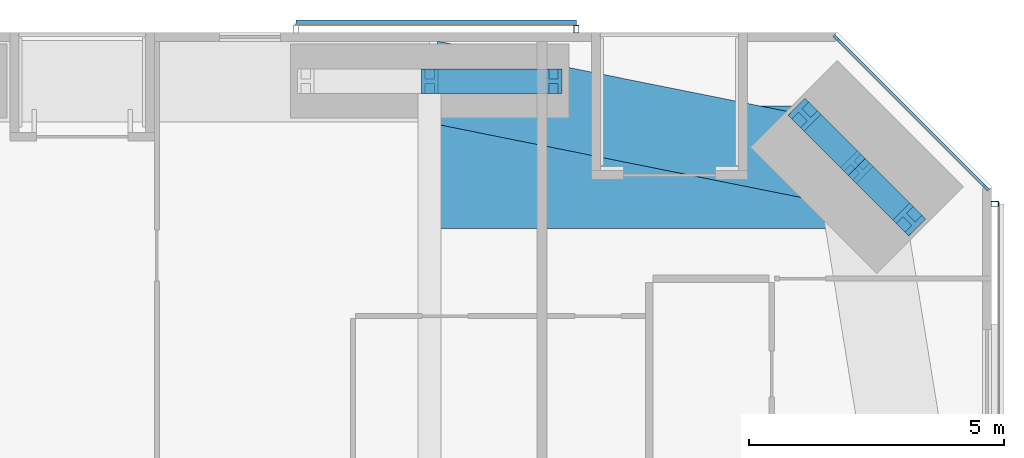
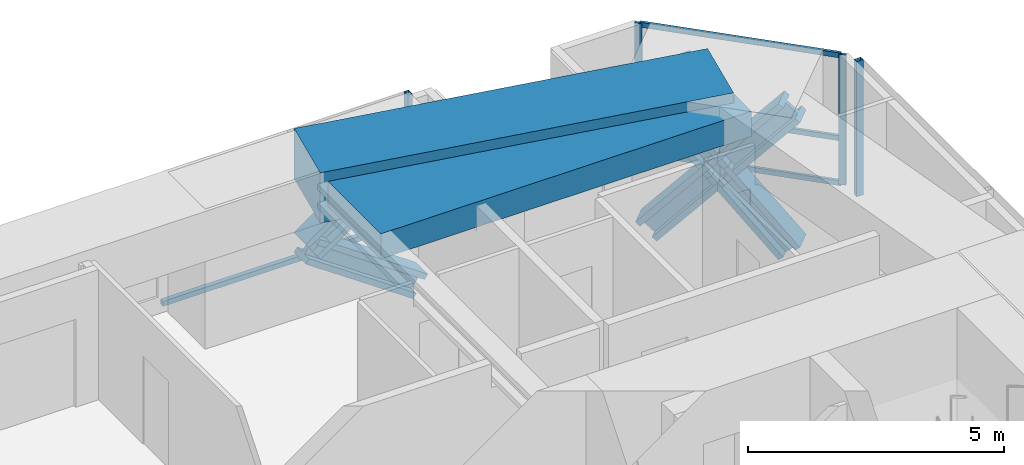
# One storey, part 14 of 23: 14 members, 2 beams, 3 elements without a shape of their own.
"""IFC4 building model written with IfcOpenShell, lengths in metres."""

import ifcopenshell
import ifcopenshell.guid

model = None  # the IFC model being written
_history = None  # IfcOwnerHistory: only IFC2X3 demands one
_inside = {}  # id of a spatial element -> (the spatial element, [elements in it])
_under = {}  # id of a project, library or spatial element -> (it, [spatial elements below it])
_declared = {}  # id of a project -> (the project, [libraries it declares])
_typed = {}  # id of a type object -> (the type object, [elements of that type])
_made_of = {}  # id of a material, layer set ... -> (it, [elements and type objects made of it])


def new_model(schema):
    """Start an empty IFC model of exactly this schema.

    Asked for "IFC4X3", IfcOpenShell would pick the latest addendum, in which some entities
    have other attributes; the version numbers below select the first issue.
    IFC2X3 requires an IfcOwnerHistory on every rooted entity: one is made here for all.
    """
    global model, _history
    if schema == "IFC4X3":
        model = ifcopenshell.file(schema_version=(4, 3, 0, 0))
    else:
        model = ifcopenshell.file(schema=schema)
    _inside.clear()
    _under.clear()
    _declared.clear()
    _typed.clear()
    _made_of.clear()
    _history = None
    if model.schema == "IFC2X3":
        org = make("IfcOrganization", Name="unknown")
        user = make(
            "IfcPersonAndOrganization",
            ThePerson=make("IfcPerson", FamilyName="unknown"),
            TheOrganization=org,
        )
        app = make(
            "IfcApplication",
            ApplicationDeveloper=org,
            Version="unknown",
            ApplicationFullName="unknown",
            ApplicationIdentifier="unknown",
        )
        _history = make(
            "IfcOwnerHistory",
            OwningUser=user,
            OwningApplication=app,
            ChangeAction="ADDED",
            CreationDate=0,
        )
    return model


def make(cls, **values):
    """One entity of the class cls with the attributes given. An attribute that is None is left unset."""
    return model.create_entity(
        cls, **{name: value for name, value in values.items() if value is not None}
    )


def rooted(cls, **values):
    """An entity with a GlobalId (a new one), such as an element, a storey or a relation."""
    return make(cls, GlobalId=ifcopenshell.guid.new(), OwnerHistory=_history, **values)


def si_unit(unit_type, name, prefix=None):
    """IfcSIUnit, for example si_unit("LENGTHUNIT", "METRE", prefix="MILLI")."""
    return make("IfcSIUnit", UnitType=unit_type, Prefix=prefix, Name=name)


def assignment(units):
    """IfcUnitAssignment: the units of a project."""
    return None if units is None else make("IfcUnitAssignment", Units=units)


def point(xyz):
    """IfcCartesianPoint."""
    return None if xyz is None else make("IfcCartesianPoint", Coordinates=xyz)


def direction(xyz):
    """IfcDirection."""
    return None if xyz is None else make("IfcDirection", DirectionRatios=xyz)


def frame(location, z_axis=None, x_axis=None):
    """IfcAxis2Placement3D, a coordinate frame: its origin and axes. An axis left out is left unset."""
    return make(
        "IfcAxis2Placement3D",
        Location=point(location),
        Axis=direction(z_axis),
        RefDirection=direction(x_axis),
    )


def frame_2d(location, x_axis=None):
    """IfcAxis2Placement2D, a coordinate frame in the plane: its origin and x axis."""
    return make(
        "IfcAxis2Placement2D", Location=point(location), RefDirection=direction(x_axis)
    )


def origin():
    """The frame at (0, 0, 0) with its axes left unset."""
    return frame((0.0, 0.0, 0.0))


def origin_2d():
    """The frame at (0, 0) in the plane with its x axis left unset."""
    return frame_2d((0.0, 0.0))


def place(relative_to, where):
    """IfcLocalPlacement: puts the frame where relative to a parent placement (None: the world)."""
    return make(
        "IfcLocalPlacement", PlacementRelTo=relative_to, RelativePlacement=where
    )


def context(
    kind, dimensions, precision=None, world=None, true_north=None, identifier=None
):
    """IfcGeometricRepresentationContext, for example the 3D "Model" context."""
    return make(
        "IfcGeometricRepresentationContext",
        ContextIdentifier=identifier,
        ContextType=kind,
        CoordinateSpaceDimension=dimensions,
        Precision=precision,
        WorldCoordinateSystem=world,
        TrueNorth=true_north,
    )


def subcontext(parent, identifier, kind, view, scale=None):
    """IfcGeometricRepresentationSubContext, for example "Body" below "Model"."""
    return make(
        "IfcGeometricRepresentationSubContext",
        ContextIdentifier=identifier,
        ContextType=kind,
        ParentContext=parent,
        TargetScale=scale,
        TargetView=view,
    )


def project(units=None, contexts=None):
    """IfcProject with its units and contexts."""
    return rooted(
        "IfcProject",
        Name="project",
        RepresentationContexts=contexts,
        UnitsInContext=assignment(units),
    )


def spatial(cls, under=None, at=None, **own):
    """A site, building, storey or space (cls), placed at a placement, below another one or the project."""
    s = rooted(cls, ObjectPlacement=at, **own)
    if under is not None:
        _under.setdefault(under.id(), (under, []))[1].append(s)
    return s


def profile(cls, at=None, kind="AREA", **sizes):
    """A parametric profile (cls). Its sizes go by their IFC names, for example OverallWidth=200.0."""
    return make(cls, ProfileType=kind, Position=at, **sizes)


def rectangle(**sizes):
    """IfcRectangleProfileDef."""
    return profile("IfcRectangleProfileDef", **sizes)


def hollow_rectangle(**sizes):
    """IfcRectangleHollowProfileDef."""
    return profile("IfcRectangleHollowProfileDef", **sizes)


def i_section(**sizes):
    """IfcIShapeProfileDef."""
    return profile("IfcIShapeProfileDef", **sizes)


def extrude(swept, where, along, depth):
    """IfcExtrudedAreaSolid: the profile swept, set in the frame where, extruded along a direction by depth."""
    return make(
        "IfcExtrudedAreaSolid",
        SweptArea=swept,
        Position=where,
        ExtrudedDirection=direction(along),
        Depth=depth,
    )


def shape(context_of_items, identifier, shape_type, items):
    """IfcShapeRepresentation: the items that make up one representation, for example the "Body"."""
    return make(
        "IfcShapeRepresentation",
        ContextOfItems=context_of_items,
        RepresentationIdentifier=identifier,
        RepresentationType=shape_type,
        Items=items,
    )


def material(Name=None, Category=None):
    """IfcMaterial."""
    return make("IfcMaterial", Name=Name, Category=Category)


def material_profile(
    of_material, cross_section, Name=None, Category=None, Priority=None
):
    """IfcMaterialProfile: a cross section and its material."""
    return make(
        "IfcMaterialProfile",
        Name=Name,
        Material=of_material,
        Profile=cross_section,
        Priority=Priority,
        Category=Category,
    )


def profile_set(profiles, Name=None, composite=None):
    """IfcMaterialProfileSet."""
    return make(
        "IfcMaterialProfileSet",
        Name=Name,
        MaterialProfiles=profiles,
        CompositeProfile=composite,
    )


def made_of(thing, what):
    """Note that an element or type object is made of a material, layer set ...; save() writes the relation."""
    if what is not None:
        _made_of.setdefault(what.id(), (what, []))[1].append(thing)
    return thing


def type_object(cls, material=None, **own):
    """A type object (cls), such as IfcWallType, which elements share."""
    return made_of(rooted(cls, **own), material)


def element(
    cls,
    number,
    at=None,
    inside=None,
    cuts=None,
    type_object=None,
    material=None,
    context=None,
    identifier="Body",
    shape_type=None,
    held_by="IfcProductDefinitionShape",
    body=None,
    shapes=None,
    **own,
):
    """One element of the class cls, such as IfcWall. Its Tag is "e" and its number.

    at: its placement. inside: the storey or other place that contains it. cuts: it is an
    opening in that element (IfcRelVoidsElement). A single representation is given by context,
    identifier, shape_type and body (its items); several are given by shapes. held_by: the class
    of the entity that holds the representations. save() writes the other relations.
    """
    e = rooted(cls, Tag="e%d" % number, ObjectPlacement=at, **own)
    if body is not None:
        shapes = [shape(context, identifier, shape_type, body)]
    if shapes is not None:
        e.Representation = make(held_by, Representations=shapes)
    if inside is not None:
        _inside.setdefault(inside.id(), (inside, []))[1].append(e)
    if cuts is not None:
        rooted(
            "IfcRelVoidsElement", RelatingBuildingElement=cuts, RelatedOpeningElement=e
        )
    if type_object is not None:
        _typed.setdefault(type_object.id(), (type_object, []))[1].append(e)
    return made_of(e, material)


def aggregate(whole, parts):
    """IfcRelAggregates: a whole, such as a stair, and the parts it consists of."""
    return rooted("IfcRelAggregates", RelatingObject=whole, RelatedObjects=parts)


def save(model, path):
    """Write the relations noted so far, then the file.

    IfcRelAggregates (storeys below a building ...), IfcRelContainedInSpatialStructure (elements
    in a storey), IfcRelDefinesByType, IfcRelAssociatesMaterial and IfcRelDeclares: one each for
    every whole, place, type object, material and project.
    """
    for whole, parts in _under.values():
        aggregate(whole, parts)
    for where, things in _inside.values():
        rooted(
            "IfcRelContainedInSpatialStructure",
            RelatedElements=things,
            RelatingStructure=where,
        )
    for kind, things in _typed.values():
        rooted("IfcRelDefinesByType", RelatedObjects=things, RelatingType=kind)
    for what, things in _made_of.values():
        rooted("IfcRelAssociatesMaterial", RelatedObjects=things, RelatingMaterial=what)
    for by, libraries in _declared.values():
        rooted("IfcRelDeclares", RelatingContext=by, RelatedDefinitions=libraries)
    model.write(path)


model = new_model("IFC4")

# Units and contexts
model_context = context("Model", 3, precision=1e-05, world=origin(), true_north=direction((0.0, 1.0)))
body_context = subcontext(model_context, "Body", "Model", "MODEL_VIEW")
ifc_project = project(units=[si_unit("LENGTHUNIT", "METRE"), si_unit("AREAUNIT", "SQUARE_METRE"), si_unit("VOLUMEUNIT", "CUBIC_METRE"), si_unit("PLANEANGLEUNIT", "RADIAN"), si_unit("MASSUNIT", "GRAM", prefix="KILO")], contexts=[model_context])

# Site, building, storey
site_placement = place(None, origin())
site = spatial("IfcSite", under=ifc_project, at=site_placement, CompositionType="ELEMENT")
building_placement = place(site_placement, origin())
building = spatial("IfcBuilding", under=site, at=building_placement, Name="Jalousie Tower", CompositionType="ELEMENT")
storey_placement = place(building_placement, frame((0.0, 0.0, 27.699951171875)))
storey = spatial("IfcBuildingStorey", under=building, at=storey_placement, Name="L06", CompositionType="ELEMENT", Elevation=27.699951171875)

# Curtain wall, members
ifc_material_1 = material(Name="Aluminium curtain wall", Category="aluminium")
curtain_wall_type_1 = type_object("IfcCurtainWallType", Name="CORNER WINDOW WALL", PredefinedType="USERDEFINED", material=ifc_material_1)
curtain_wall_1_placement = place(storey_placement, origin())
curtain_wall_1 = element("IfcCurtainWall", 1, at=curtain_wall_1_placement, inside=storey, type_object=curtain_wall_type_1, Name="Corner Window Wall L06 4", ObjectType="CORNER WINDOW WALL", PredefinedType="USERDEFINED")
ifc_material_2 = material(Name="Aluminium mullion", Category="aluminium")
ifc_material_profile_1 = material_profile(ifc_material_2, rectangle(XDim=0.06005859375, YDim=0.14990234375, at=origin_2d()), Name="MULLION 60x150")
ifc_profile_set_1 = profile_set([ifc_material_profile_1], Name="Aluminium mullion")
member_type_1 = type_object("IfcMemberType", Name="CORNER WINDOW WALL MULLION", PredefinedType="MULLION", material=ifc_profile_set_1)
member_1_placement = place(storey_placement, frame((45.891357421875, 34.969970703125, 0.0), z_axis=(0.0, 0.0, 1.0), x_axis=(-0.707106781187, -0.707106781187, 0.0)))
member_1 = element("IfcMember", 2, at=member_1_placement, type_object=member_type_1, Name="CW-C mullion 1", PredefinedType="MULLION", context=body_context, shape_type="SweptSolid", body=[
    extrude(rectangle(XDim=0.06005859375, YDim=0.14990234375, at=origin_2d()), origin(), (0.0, 0.0, 1.0), 3.110107421875),
])
member_2_placement = place(storey_placement, frame((42.969970703125, 37.891357421875, 0.0), z_axis=(0.0, 0.0, 1.0), x_axis=(-0.707106781187, -0.707106781187, 0.0)))
member_2 = element("IfcMember", 3, at=member_2_placement, type_object=member_type_1, Name="CW-C mullion 2", PredefinedType="MULLION", context=body_context, shape_type="SweptSolid", body=[
    extrude(rectangle(XDim=0.06005859375, YDim=0.14990234375, at=origin_2d()), origin(), (0.0, 0.0, 1.0), 3.110107421875),
])
ifc_material_3 = material(Name="Aluminium transom", Category="aluminium")
ifc_material_profile_2 = material_profile(ifc_material_3, rectangle(XDim=0.06005859375, YDim=0.1201171875, at=origin_2d()), Name="TRANSOM 60x120")
ifc_profile_set_2 = profile_set([ifc_material_profile_2], Name="Aluminium transom")
member_type_2 = type_object("IfcMemberType", Name="CORNER WINDOW WALL TRANSOM", PredefinedType="USERDEFINED", material=ifc_profile_set_2)
member_3_placement = place(storey_placement, frame((45.8701171875, 34.9912109375, 0.030029296875), z_axis=(-0.707106781187, 0.707106781187, 0.0), x_axis=(-0.707106781187, -0.707106781187, 0.0)))
member_3 = element("IfcMember", 4, at=member_3_placement, type_object=member_type_2, Name="CW-C transom 1.1", ObjectType="TRANSOM", PredefinedType="USERDEFINED", context=body_context, shape_type="SweptSolid", body=[
    extrude(rectangle(XDim=0.06005859375, YDim=0.1201171875, at=origin_2d()), origin(), (0.0, 0.0, 1.0), 4.0712890625),
])
member_4_placement = place(storey_placement, frame((45.8701171875, 34.9912109375, 1.10009765625), z_axis=(-0.707106781187, 0.707106781187, 0.0), x_axis=(-0.707106781187, -0.707106781187, 0.0)))
member_4 = element("IfcMember", 5, at=member_4_placement, type_object=member_type_2, Name="CW-C transom 1.2", ObjectType="TRANSOM", PredefinedType="USERDEFINED", context=body_context, shape_type="SweptSolid", body=[
    extrude(rectangle(XDim=0.06005859375, YDim=0.1201171875, at=origin_2d()), origin(), (0.0, 0.0, 1.0), 4.0712890625),
])
member_5_placement = place(storey_placement, frame((45.8701171875, 34.9912109375, 3.080078125), z_axis=(-0.707106781187, 0.707106781187, 0.0), x_axis=(-0.707106781187, -0.707106781187, 0.0)))
member_5 = element("IfcMember", 6, at=member_5_placement, type_object=member_type_2, Name="CW-C transom 1.3", ObjectType="TRANSOM", PredefinedType="USERDEFINED", context=body_context, shape_type="SweptSolid", body=[
    extrude(rectangle(XDim=0.06005859375, YDim=0.1201171875, at=origin_2d()), origin(), (0.0, 0.0, 1.0), 4.0712890625),
])
aggregate(curtain_wall_1, [member_1, member_2, member_3, member_4, member_5])

# Members
ifc_material_4 = material(Name="Steel ASTM A992 Grade 50", Category="steel")
ifc_material_profile_3 = material_profile(ifc_material_4, i_section(OverallWidth=0.472412109375, OverallDepth=0.5791015625, WebThickness=0.094970703125, FlangeThickness=0.1298828125, at=origin_2d()), Name="W14X808")
ifc_profile_set_3 = profile_set([ifc_material_profile_3], Name="Steel ASTM A992 Grade 50")
member_type_3 = type_object("IfcMemberType", Name="PERIMETER BRACE W14X808", PredefinedType="BRACE", material=ifc_profile_set_3)
for number, where, z_axis, x_axis, name in (
    (7, (44.393798828125, 34.34326171875, -0.599853515625), (-0.462768350628, 0.462878559809, 0.756034981021), (-0.707190965575, -0.707022586774, 0.0), "Perimeter brace 08 L06 part 1"),
    (8, (43.36865234375, 35.36865234375, 1.074951171875), (-0.462839993852, 0.462729793854, 0.756082189957), (-0.707022586774, -0.707190965575, 0.0), "Perimeter brace 08 L06 part 2"),
    (9, (42.34326171875, 36.393798828125, -0.599853515625), (0.462878559809, -0.462768350628, 0.756034981021), (0.707022586774, 0.707190965575, 0.0), "Perimeter brace 08 L06 part 3"),
    (10, (43.36865234375, 35.36865234375, 1.074951171875), (0.462729793854, -0.462839993852, 0.756082189957), (0.707190965575, 0.707022586774, 0.0), "Perimeter brace 08 L06 part 4"),
):
    element("IfcMember", number, at=place(storey_placement, frame(where, z_axis=z_axis, x_axis=x_axis)), inside=storey, type_object=member_type_3, Name=name, PredefinedType="BRACE", context=body_context, shape_type="SweptSolid", body=[
        extrude(i_section(OverallWidth=0.472412109375, OverallDepth=0.5791015625, WebThickness=0.094970703125, FlangeThickness=0.1298828125, at=origin_2d()), origin(), (0.0, 0.0, 1.0), 2.21533203125),
    ])
for number, where, z_axis, x_axis, name in (
    (11, (35.0, 37.050048828125, 1.074951171875), (0.822800062329, 0.0, 0.568330940062), (0.0, 1.0, 0.0), "Perimeter brace 09 L06 part 2"),
    (12, (37.425048828125, 37.050048828125, -0.599853515625), (-0.82283879777, 0.0, 0.568274856811), (0.0, -1.0, 0.0), "Perimeter brace 09 L06 part 3"),
):
    element("IfcMember", number, at=place(storey_placement, frame(where, z_axis=z_axis, x_axis=x_axis)), inside=storey, type_object=member_type_3, Name=name, PredefinedType="BRACE", context=body_context, shape_type="SweptSolid", body=[
        extrude(i_section(OverallWidth=0.472412109375, OverallDepth=0.5791015625, WebThickness=0.094970703125, FlangeThickness=0.1298828125, at=origin_2d()), origin(), (0.0, 0.0, 1.0), 2.947265625),
    ])

# Beams
ifc_material_5 = material(Name="Concrete f'c 40 MPa", Category="concrete")
ifc_material_profile_4 = material_profile(ifc_material_5, rectangle(XDim=1.60009765625, YDim=1.199951171875, at=origin_2d()), Name="RC 1600x1200")
ifc_profile_set_4 = profile_set([ifc_material_profile_4], Name="Concrete f'c 40 MPa")
beam_type_1 = type_object("IfcBeamType", Name="RC BEAM 1600x1200", PredefinedType="BEAM", material=ifc_profile_set_4)
beam_1_placement = place(storey_placement, frame((43.36865234375, 35.36865234375, 2.75), z_axis=(-0.980407585444, 0.196979609107, 0.0), x_axis=(-0.196979609107, -0.980407585444, 0.0)))
element("IfcBeam", 13, at=beam_1_placement, inside=storey, type_object=beam_type_1, Name="Edge band beam 08-09 under L07", PredefinedType="BEAM", context=body_context, shape_type="SweptSolid", body=[
    extrude(rectangle(XDim=1.60009765625, YDim=1.199951171875, at=origin_2d()), origin(), (0.0, 0.0, 1.0), 8.535888671875),
])
ifc_material_6 = material(Name="Concrete f'c 40 MPa", Category="concrete")
ifc_material_profile_5 = material_profile(ifc_material_6, rectangle(XDim=2.39990234375, YDim=0.60009765625, at=origin_2d()), Name="RC 2400x600")
ifc_profile_set_5 = profile_set([ifc_material_profile_5], Name="Concrete f'c 40 MPa")
beam_type_2 = type_object("IfcBeamType", Name="RC BEAM 2400x600", PredefinedType="BEAM", material=ifc_profile_set_5)
beam_2_placement = place(storey_placement, frame((43.36865234375, 35.36865234375, 2.81005859375), z_axis=(-1.0, 0.0, 0.0), x_axis=(0.0, -1.0, 0.0)))
element("IfcBeam", 14, at=beam_2_placement, inside=storey, type_object=beam_type_2, Name="Floor band beam under L07", PredefinedType="BEAM", context=body_context, shape_type="SweptSolid", body=[
    extrude(rectangle(XDim=2.39990234375, YDim=0.60009765625, at=origin_2d()), origin(), (0.0, 0.0, 1.0), 8.36865234375),
])

# Curtain wall, member
ifc_material_7 = material(Name="Perforated aluminium sheet", Category="aluminium")
curtain_wall_type_2 = type_object("IfcCurtainWallType", Name="SOLAR SCREEN SS-1", PredefinedType="USERDEFINED", material=ifc_material_7)
curtain_wall_2_placement = place(storey_placement, origin())
curtain_wall_2 = element("IfcCurtainWall", 15, at=curtain_wall_2_placement, inside=storey, type_object=curtain_wall_type_2, Name="Solar screen L06", ObjectType="SOLAR SCREEN SS-1", PredefinedType="USERDEFINED")
ifc_material_8 = material(Name="Steel ASTM A500 Grade C", Category="steel")
ifc_material_profile_6 = material_profile(ifc_material_8, hollow_rectangle(XDim=0.1015625, YDim=0.15234375, WallThickness=0.00634765625, at=origin_2d()), Name="HSS6X4X1/4")
ifc_profile_set_6 = profile_set([ifc_material_profile_6], Name="Steel ASTM A500 Grade C")
member_type_4 = type_object("IfcMemberType", Name="SOLAR SCREEN SS-1 MULLION", PredefinedType="MULLION", material=ifc_profile_set_6)
member_6_placement = place(storey_placement, frame((46.0712890625, 34.648681640625, -0.119873046875), z_axis=(0.0, 0.0, 1.0), x_axis=(0.0, 1.0, 0.0)))
member_6 = element("IfcMember", 16, at=member_6_placement, type_object=member_type_4, Name="SS1 post 4", PredefinedType="MULLION", context=body_context, shape_type="SweptSolid", body=[
    extrude(hollow_rectangle(XDim=0.1015625, YDim=0.15234375, WallThickness=0.00634765625, at=origin_2d()), origin(), (0.0, 0.0, 1.0), 3.22998046875),
])
aggregate(curtain_wall_2, [member_6])

# Curtain wall, members
curtain_wall_3_placement = place(storey_placement, origin())
curtain_wall_3 = element("IfcCurtainWall", 17, at=curtain_wall_3_placement, inside=storey, type_object=curtain_wall_type_2, Name="Solar screen L06", ObjectType="SOLAR SCREEN SS-1", PredefinedType="USERDEFINED")
member_7_placement = place(storey_placement, frame((37.873779296875, 38.0712890625, -0.119873046875), z_axis=(0.0, 0.0, 1.0), x_axis=(-1.0, 0.0, 0.0)))
member_7 = element("IfcMember", 18, at=member_7_placement, type_object=member_type_4, Name="SS1 post 1", PredefinedType="MULLION", context=body_context, shape_type="SweptSolid", body=[
    extrude(hollow_rectangle(XDim=0.1015625, YDim=0.15234375, WallThickness=0.00634765625, at=origin_2d()), origin(), (0.0, 0.0, 1.0), 3.22998046875),
])
ifc_material_9 = material(Name="Extruded aluminium screen rail", Category="aluminium")
ifc_material_profile_7 = material_profile(ifc_material_9, rectangle(XDim=0.1015625, YDim=0.1201171875, at=origin_2d()), Name="RAIL 102x120")
ifc_profile_set_7 = profile_set([ifc_material_profile_7], Name="Extruded aluminium screen rail")
member_type_5 = type_object("IfcMemberType", Name="SOLAR SCREEN SS-1 TRANSOM", PredefinedType="USERDEFINED", material=ifc_profile_set_7)
member_8_placement = place(storey_placement, frame((37.873779296875, 38.1982421875, -0.06005859375), z_axis=(-1.0, 0.0, 0.0), x_axis=(0.0, -1.0, 0.0)))
member_8 = element("IfcMember", 19, at=member_8_placement, type_object=member_type_5, Name="SS1 rail", ObjectType="TRANSOM", PredefinedType="USERDEFINED", context=body_context, shape_type="SweptSolid", body=[
    extrude(rectangle(XDim=0.1015625, YDim=0.1201171875, at=origin_2d()), origin(), (0.0, 0.0, 1.0), 5.491943359375),
])
aggregate(curtain_wall_3, [member_7, member_8])

save(model, "model.ifc")
